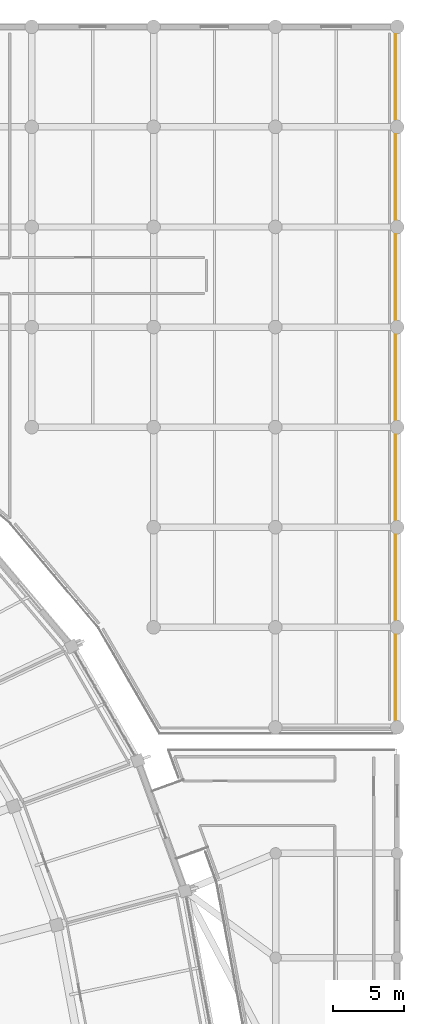
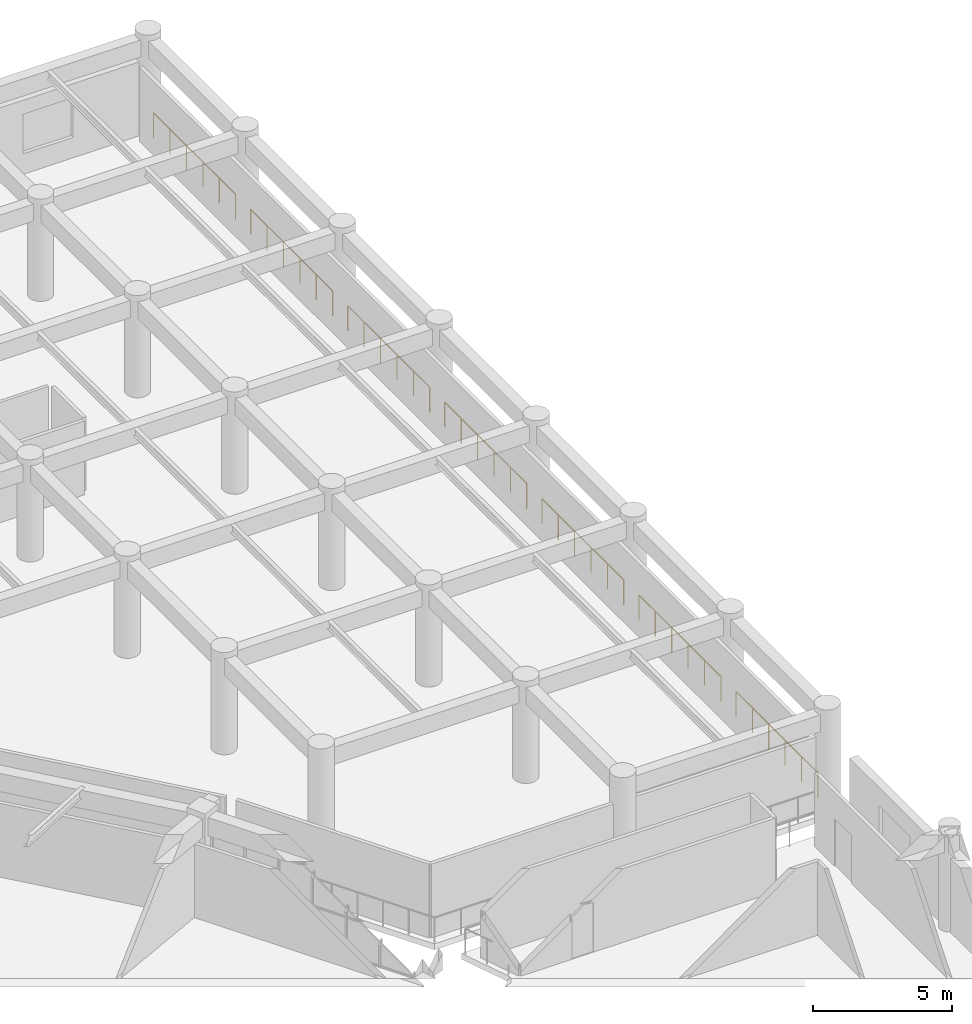
# One storey, part 145 of 145: 7 railings.
"""IFC4 building model written with IfcOpenShell, lengths in metres."""

from ifc_helpers import new_model, si_unit, direction, frame, origin, origin_2d, place, context, subcontext, project, spatial, circle, extrude, material, type_object, element, save


model = new_model("IFC4")

# Units and contexts
model_context = context("Model", 3, precision=1e-05, world=origin(), true_north=direction((0.0, 1.0)))
body_context = subcontext(model_context, "Body", "Model", "MODEL_VIEW")
ifc_project = project(units=[si_unit("LENGTHUNIT", "METRE"), si_unit("AREAUNIT", "SQUARE_METRE"), si_unit("VOLUMEUNIT", "CUBIC_METRE"), si_unit("PLANEANGLEUNIT", "RADIAN"), si_unit("MASSUNIT", "GRAM", prefix="KILO")], contexts=[model_context])

# Site, building, storey
site_placement = place(None, origin())
site = spatial("IfcSite", under=ifc_project, at=site_placement, CompositionType="ELEMENT")
building_placement = place(site_placement, origin())
building = spatial("IfcBuilding", under=site, at=building_placement, Name="Mphavela Belvedere Stadium", CompositionType="ELEMENT")
storey_placement = place(building_placement, frame((0.0, 0.0, 10.199951171875)))
storey = spatial("IfcBuildingStorey", under=building, at=storey_placement, Name="L02", CompositionType="ELEMENT", Elevation=10.199951171875)

# Railings
ifc_material = material(Name="Bronze and laminated glass stadium balustrade", Category="glass")
railing_type = type_object("IfcRailingType", Name="RAL-BALUSTRADE-1120", PredefinedType="BALUSTRADE", material=ifc_material)
for number, where, name in (
    (1, (229.919921875, 173.45654296875, 0.0), "Peristyle wing gallery edge balustrade L02-45"),
    (2, (229.919921875, 166.45654296875, 0.0), "Peristyle wing gallery edge balustrade L02-46"),
    (3, (229.919921875, 159.45654296875, 0.0), "Peristyle wing gallery edge balustrade L02-47"),
    (4, (229.919921875, 152.45654296875, 0.0), "Peristyle wing gallery edge balustrade L02-48"),
    (5, (229.919921875, 145.45654296875, 0.0), "Peristyle wing gallery edge balustrade L02-49"),
    (6, (229.919921875, 138.45654296875, 0.0), "Peristyle wing gallery edge balustrade L02-50"),
    (7, (229.919921875, 131.45654296875, 0.0), "Peristyle wing gallery edge balustrade L02-51"),
):
    element("IfcRailing", number, at=place(storey_placement, frame(where)), inside=storey, type_object=railing_type, Name=name, PredefinedType="BALUSTRADE", context=body_context, shape_type="SweptSolid", body=[
        extrude(circle(Radius=0.02392578125, at=origin_2d()), frame((0.0, 0.0, 1.09619140625), z_axis=(0.0, -1.0, 0.0), x_axis=(1.0, 0.0, 0.0)), (0.0, 0.0, 1.0), 5.9130859375),
        extrude(circle(Radius=0.02099609375, at=origin_2d()), origin(), (0.0, 0.0, 1.0), 1.072021484375),
        extrude(circle(Radius=0.02099609375, at=origin_2d()), frame((0.0, -1.1826171875, 0.0)), (0.0, 0.0, 1.0), 1.072021484375),
        extrude(circle(Radius=0.02099609375, at=origin_2d()), frame((0.0, -2.365234375, 0.0)), (0.0, 0.0, 1.0), 1.072021484375),
        extrude(circle(Radius=0.02099609375, at=origin_2d()), frame((0.0, -3.5478515625, 0.0)), (0.0, 0.0, 1.0), 1.072021484375),
        extrude(circle(Radius=0.02099609375, at=origin_2d()), frame((0.0, -4.73046875, 0.0)), (0.0, 0.0, 1.0), 1.072021484375),
        extrude(circle(Radius=0.02099609375, at=origin_2d()), frame((0.0, -5.9130859375, 0.0)), (0.0, 0.0, 1.0), 1.072021484375),
    ])

save(model, "model.ifc")
